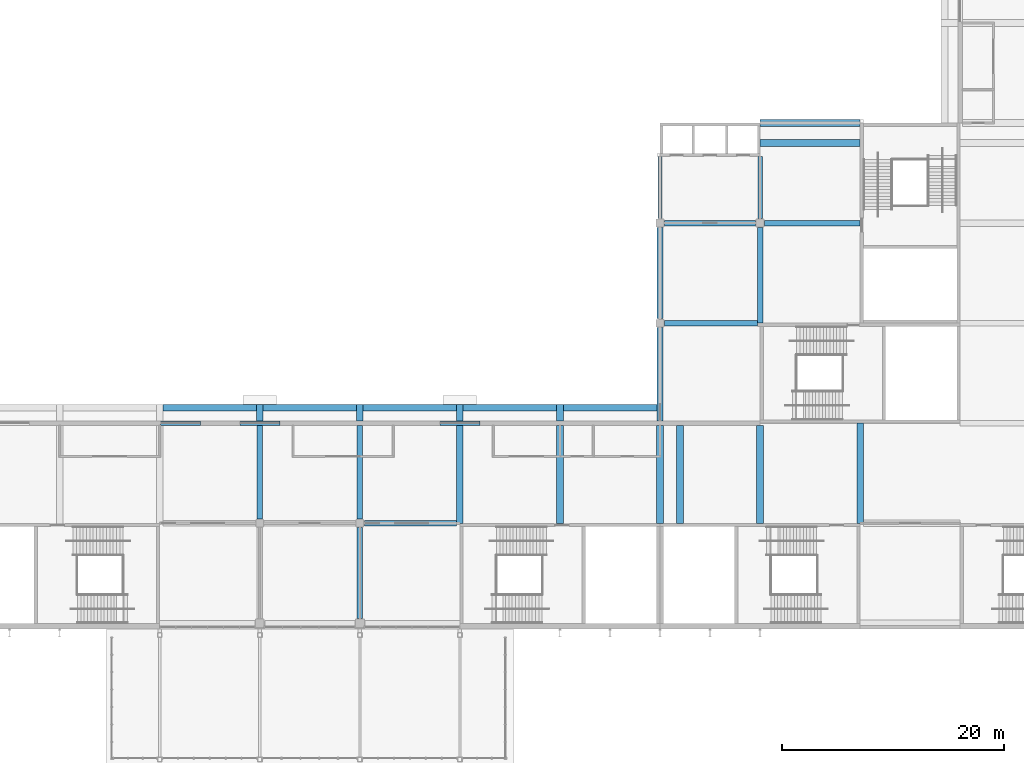
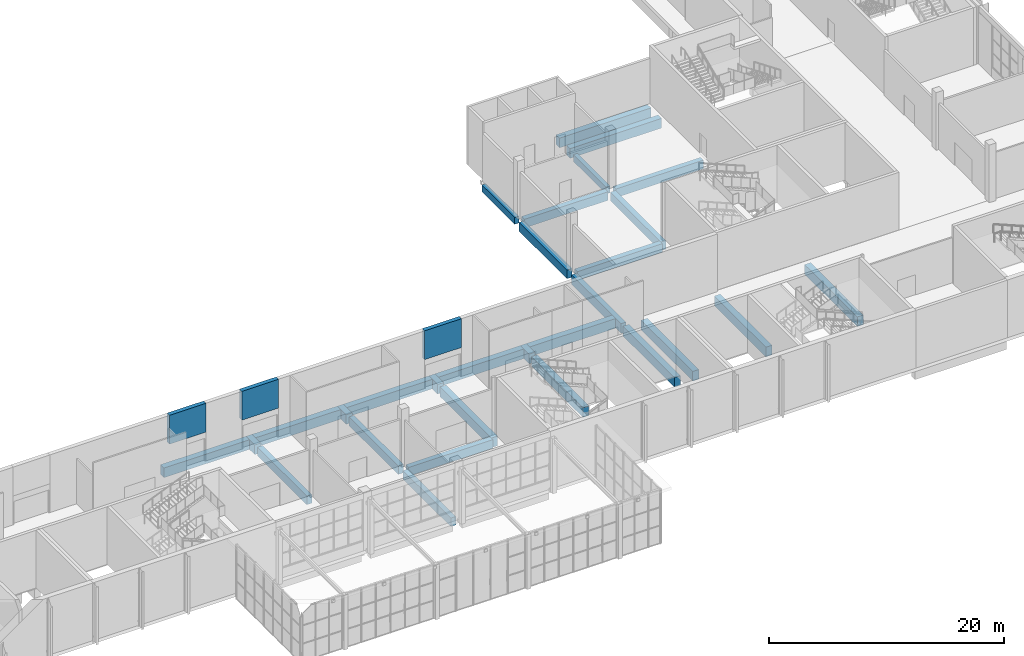
# One storey, part 13 of 89: 32 beams.
"""IFC4 building model written with IfcOpenShell, lengths in metres."""

from ifc_helpers import new_model, si_unit, direction, frame, origin, origin_2d, place, context, subcontext, project, spatial, rectangle, extrude, material, material_profile, profile_set, type_object, element, save


model = new_model("IFC4")

# Units and contexts
model_context = context("Model", 3, precision=1e-05, world=origin(), true_north=direction((0.0, 1.0)))
body_context = subcontext(model_context, "Body", "Model", "MODEL_VIEW")
ifc_project = project(units=[si_unit("LENGTHUNIT", "METRE"), si_unit("AREAUNIT", "SQUARE_METRE"), si_unit("VOLUMEUNIT", "CUBIC_METRE"), si_unit("PLANEANGLEUNIT", "RADIAN"), si_unit("MASSUNIT", "GRAM", prefix="KILO")], contexts=[model_context])

# Site, building, storey
site_placement = place(None, origin())
site = spatial("IfcSite", under=ifc_project, at=site_placement, CompositionType="ELEMENT")
building_placement = place(site_placement, origin())
building = spatial("IfcBuilding", under=site, at=building_placement, Name="Silverbay Arena", CompositionType="ELEMENT")
storey_placement = place(building_placement, frame((0.0, 0.0, 22.0)))
storey = spatial("IfcBuildingStorey", under=building, at=storey_placement, Name="L03", CompositionType="ELEMENT", Elevation=22.0)

# Beams
ifc_material_1 = material(Name="Concrete Grade C45", Category="concrete")
ifc_material_profile_1 = material_profile(ifc_material_1, rectangle(XDim=0.39990234375, YDim=0.699951171875, at=origin_2d()), Name="RC 400x700")
ifc_profile_set_1 = profile_set([ifc_material_profile_1], Name="Concrete Grade C45")
beam_type_1 = type_object("IfcBeamType", Name="RC beam 400x700", PredefinedType="BEAM", material=ifc_profile_set_1)
for number, where, z_axis, x_axis, name in (
    (1, (162.0, 54.39990234375, -0.699951171875), (0.0, 1.0, 0.0), (-1.0, 0.0, 0.0), "Floor beam L03 148"),
    (2, (171.0, 54.39990234375, -0.699951171875), (0.0, 1.0, 0.0), (-1.0, 0.0, 0.0), "Floor beam L03 157"),
):
    element("IfcBeam", number, at=place(storey_placement, frame(where, z_axis=z_axis, x_axis=x_axis)), inside=storey, type_object=beam_type_1, Name=name, PredefinedType="BEAM", context=body_context, shape_type="SweptSolid", body=[
        extrude(rectangle(XDim=0.39990234375, YDim=0.699951171875, at=origin_2d()), origin(), (0.0, 0.0, 1.0), 5.60009765625),
    ])
ifc_material_2 = material(Name="Concrete Grade C45", Category="concrete")
ifc_material_profile_2 = material_profile(ifc_material_2, rectangle(XDim=0.5, YDim=1.0, at=origin_2d()), Name="RC 500x1000")
ifc_profile_set_2 = profile_set([ifc_material_profile_2], Name="Concrete Grade C45")
beam_type_2 = type_object("IfcBeamType", Name="RC beam 500x1000", PredefinedType="BEAM", material=ifc_profile_set_2)
beam_1_placement = place(storey_placement, frame((162.0, 36.199951171875, -0.85009765625), z_axis=(0.0, 1.0, 0.0), x_axis=(-1.0, 0.0, 0.0)))
element("IfcBeam", 3, at=beam_1_placement, inside=storey, type_object=beam_type_2, Name="Floor beam L03 146", PredefinedType="BEAM", context=body_context, shape_type="SweptSolid", body=[
    extrude(rectangle(XDim=0.5, YDim=1.0, at=origin_2d()), origin(), (0.0, 0.0, 1.0), 8.400146484375),
])
ifc_material_3 = material(Name="Concrete Grade C45", Category="concrete")
ifc_material_profile_3 = material_profile(ifc_material_3, rectangle(XDim=0.5, YDim=0.89990234375, at=origin_2d()), Name="RC 500x900")
ifc_profile_set_3 = profile_set([ifc_material_profile_3], Name="Concrete Grade C45")
beam_type_3 = type_object("IfcBeamType", Name="RC beam 500x900", PredefinedType="BEAM", material=ifc_profile_set_3)
beam_2_placement = place(storey_placement, frame((135.39990234375, 27.0, -0.800048828125), z_axis=(1.0, 0.0, 0.0), x_axis=(0.0, 1.0, 0.0)))
element("IfcBeam", 4, at=beam_2_placement, inside=storey, type_object=beam_type_3, Name="Floor beam L03 009", PredefinedType="BEAM", context=body_context, shape_type="SweptSolid", body=[
    extrude(rectangle(XDim=0.5, YDim=0.89990234375, at=origin_2d()), origin(), (0.0, 0.0, 1.0), 8.300048828125),
])
beam_3_placement = place(storey_placement, frame((162.39990234375, 45.0, -0.800048828125), z_axis=(1.0, 0.0, 0.0), x_axis=(0.0, 1.0, 0.0)))
element("IfcBeam", 5, at=beam_3_placement, inside=storey, type_object=beam_type_3, Name="Floor beam L03 018", PredefinedType="BEAM", context=body_context, shape_type="SweptSolid", body=[
    extrude(rectangle(XDim=0.5, YDim=0.89990234375, at=origin_2d()), origin(), (0.0, 0.0, 1.0), 8.35009765625),
])
beam_4_placement = place(storey_placement, frame((162.39990234375, 54.0, -0.800048828125), z_axis=(1.0, 0.0, 0.0), x_axis=(0.0, 1.0, 0.0)))
element("IfcBeam", 6, at=beam_4_placement, inside=storey, type_object=beam_type_3, Name="Floor beam L03 024", PredefinedType="BEAM", context=body_context, shape_type="SweptSolid", body=[
    extrude(rectangle(XDim=0.5, YDim=0.89990234375, at=origin_2d()), origin(), (0.0, 0.0, 1.0), 8.2001953125),
])
beam_5_placement = place(storey_placement, frame((171.39990234375, 54.0, -0.800048828125), z_axis=(1.0, 0.0, 0.0), x_axis=(0.0, 1.0, 0.0)))
element("IfcBeam", 7, at=beam_5_placement, inside=storey, type_object=beam_type_3, Name="Floor beam L03 025", PredefinedType="BEAM", context=body_context, shape_type="SweptSolid", body=[
    extrude(rectangle(XDim=0.5, YDim=0.89990234375, at=origin_2d()), origin(), (0.0, 0.0, 1.0), 8.60009765625),
])
beam_6_placement = place(storey_placement, frame((126.0, 27.39990234375, -0.800048828125), z_axis=(0.0, 1.0, 0.0), x_axis=(-1.0, 0.0, 0.0)))
element("IfcBeam", 8, at=beam_6_placement, inside=storey, type_object=beam_type_3, Name="Floor beam L03 126", PredefinedType="BEAM", context=body_context, shape_type="SweptSolid", body=[
    extrude(rectangle(XDim=0.5, YDim=0.89990234375, at=origin_2d()), origin(), (0.0, 0.0, 1.0), 8.400146484375),
])
beam_7_placement = place(storey_placement, frame((135.0, 18.449951171875, -0.800048828125), z_axis=(0.0, 1.0, 0.0), x_axis=(-1.0, 0.0, 0.0)))
element("IfcBeam", 9, at=beam_7_placement, inside=storey, type_object=beam_type_3, Name="Floor beam L03 131", PredefinedType="BEAM", context=body_context, shape_type="SweptSolid", body=[
    extrude(rectangle(XDim=0.5, YDim=0.89990234375, at=origin_2d()), origin(), (0.0, 0.0, 1.0), 8.150146484375),
])
beam_8_placement = place(storey_placement, frame((135.0, 27.39990234375, -0.800048828125), z_axis=(0.0, 1.0, 0.0), x_axis=(-1.0, 0.0, 0.0)))
element("IfcBeam", 10, at=beam_8_placement, inside=storey, type_object=beam_type_3, Name="Floor beam L03 132", PredefinedType="BEAM", context=body_context, shape_type="SweptSolid", body=[
    extrude(rectangle(XDim=0.5, YDim=0.89990234375, at=origin_2d()), origin(), (0.0, 0.0, 1.0), 8.400146484375),
])
beam_9_placement = place(storey_placement, frame((162.0, 45.39990234375, -0.800048828125), z_axis=(0.0, 1.0, 0.0), x_axis=(-1.0, 0.0, 0.0)))
element("IfcBeam", 11, at=beam_9_placement, inside=storey, type_object=beam_type_3, Name="Floor beam L03 147", PredefinedType="BEAM", context=body_context, shape_type="SweptSolid", body=[
    extrude(rectangle(XDim=0.5, YDim=0.89990234375, at=origin_2d()), origin(), (0.0, 0.0, 1.0), 8.2001953125),
])
beam_10_placement = place(storey_placement, frame((171.0, 45.0, -0.800048828125), z_axis=(0.0, 1.0, 0.0), x_axis=(-1.0, 0.0, 0.0)))
element("IfcBeam", 12, at=beam_10_placement, inside=storey, type_object=beam_type_3, Name="Floor beam L03 156", PredefinedType="BEAM", context=body_context, shape_type="SweptSolid", body=[
    extrude(rectangle(XDim=0.5, YDim=0.89990234375, at=origin_2d()), origin(), (0.0, 0.0, 1.0), 8.60009765625),
])
ifc_material_4 = material(Name="Concrete Grade C45", Category="concrete")
ifc_material_profile_4 = material_profile(ifc_material_4, rectangle(XDim=0.60009765625, YDim=1.0, at=origin_2d()), Name="RC 600x1000")
ifc_profile_set_4 = profile_set([ifc_material_profile_4], Name="Concrete Grade C45")
beam_type_4 = type_object("IfcBeamType", Name="RC beam 600x1000", PredefinedType="BEAM", material=ifc_profile_set_4)
for number, where, z_axis, x_axis, name in (
    (13, (171.0, 61.199951171875, -0.85009765625), (1.0, 0.0, 0.0), (0.0, 1.0, 0.0), "Floor beam L03 029"),
    (14, (171.0, 63.0, -0.85009765625), (1.0, 0.0, 0.0), (0.0, 1.0, 0.0), "Floor beam L03 033"),
):
    element("IfcBeam", number, at=place(storey_placement, frame(where, z_axis=z_axis, x_axis=x_axis)), inside=storey, type_object=beam_type_4, Name=name, PredefinedType="BEAM", context=body_context, shape_type="SweptSolid", body=[
        extrude(rectangle(XDim=0.60009765625, YDim=1.0, at=origin_2d()), origin(), (0.0, 0.0, 1.0), 9.0),
    ])
for number, where, z_axis, x_axis, name in (
    (15, (126.0, 36.199951171875, -0.85009765625), (0.0, 1.0, 0.0), (-1.0, 0.0, 0.0), "Floor beam L03 127"),
    (16, (135.0, 36.199951171875, -0.85009765625), (0.0, 1.0, 0.0), (-1.0, 0.0, 0.0), "Floor beam L03 133"),
):
    element("IfcBeam", number, at=place(storey_placement, frame(where, z_axis=z_axis, x_axis=x_axis)), inside=storey, type_object=beam_type_4, Name=name, PredefinedType="BEAM", context=body_context, shape_type="SweptSolid", body=[
        extrude(rectangle(XDim=0.60009765625, YDim=1.0, at=origin_2d()), origin(), (0.0, 0.0, 1.0), 1.5),
    ])
beam_11_placement = place(storey_placement, frame((144.0, 27.0, -0.85009765625), z_axis=(0.0, 1.0, 0.0), x_axis=(-1.0, 0.0, 0.0)))
element("IfcBeam", 17, at=beam_11_placement, inside=storey, type_object=beam_type_4, Name="Floor beam L03 137", PredefinedType="BEAM", context=body_context, shape_type="SweptSolid", body=[
    extrude(rectangle(XDim=0.60009765625, YDim=1.0, at=origin_2d()), origin(), (0.0, 0.0, 1.0), 8.800048828125),
])
beam_12_placement = place(storey_placement, frame((144.0, 36.199951171875, -0.85009765625), z_axis=(0.0, 1.0, 0.0), x_axis=(-1.0, 0.0, 0.0)))
element("IfcBeam", 18, at=beam_12_placement, inside=storey, type_object=beam_type_4, Name="Floor beam L03 138", PredefinedType="BEAM", context=body_context, shape_type="SweptSolid", body=[
    extrude(rectangle(XDim=0.60009765625, YDim=1.0, at=origin_2d()), origin(), (0.0, 0.0, 1.0), 1.5),
])
beam_13_placement = place(storey_placement, frame((153.0, 27.0, -0.85009765625), z_axis=(0.0, 1.0, 0.0), x_axis=(-1.0, 0.0, 0.0)))
element("IfcBeam", 19, at=beam_13_placement, inside=storey, type_object=beam_type_4, Name="Floor beam L03 141", PredefinedType="BEAM", context=body_context, shape_type="SweptSolid", body=[
    extrude(rectangle(XDim=0.60009765625, YDim=1.0, at=origin_2d()), origin(), (0.0, 0.0, 1.0), 8.800048828125),
])
beam_14_placement = place(storey_placement, frame((153.0, 36.199951171875, -0.85009765625), z_axis=(0.0, 1.0, 0.0), x_axis=(-1.0, 0.0, 0.0)))
element("IfcBeam", 20, at=beam_14_placement, inside=storey, type_object=beam_type_4, Name="Floor beam L03 142", PredefinedType="BEAM", context=body_context, shape_type="SweptSolid", body=[
    extrude(rectangle(XDim=0.60009765625, YDim=1.0, at=origin_2d()), origin(), (0.0, 0.0, 1.0), 1.5),
])
for number, where, z_axis, x_axis, name in (
    (21, (162.0, 27.0, -0.85009765625), (0.0, 1.0, 0.0), (-1.0, 0.0, 0.0), "Floor beam L03 145"),
    (22, (163.800048828125, 27.0, -0.85009765625), (0.0, 1.0, 0.0), (-1.0, 0.0, 0.0), "Floor beam L03 153"),
    (23, (171.0, 27.0, -0.85009765625), (0.0, 1.0, 0.0), (-1.0, 0.0, 0.0), "Floor beam L03 155"),
):
    element("IfcBeam", number, at=place(storey_placement, frame(where, z_axis=z_axis, x_axis=x_axis)), inside=storey, type_object=beam_type_4, Name=name, PredefinedType="BEAM", context=body_context, shape_type="SweptSolid", body=[
        extrude(rectangle(XDim=0.60009765625, YDim=1.0, at=origin_2d()), origin(), (0.0, 0.0, 1.0), 8.800048828125),
    ])
beam_15_placement = place(storey_placement, frame((180.0, 27.0, -0.85009765625), z_axis=(0.0, 1.0, 0.0), x_axis=(-1.0, 0.0, 0.0)))
element("IfcBeam", 24, at=beam_15_placement, inside=storey, type_object=beam_type_4, Name="Floor beam L03 161", PredefinedType="BEAM", context=body_context, shape_type="SweptSolid", body=[
    extrude(rectangle(XDim=0.60009765625, YDim=1.0, at=origin_2d()), origin(), (0.0, 0.0, 1.0), 9.0),
])
for number, where, z_axis, x_axis, name in (
    (25, (117.300048828125, 37.39990234375, -0.85009765625), (1.0, 0.0, 0.0), (0.0, 1.0, 0.0), "Floor beam L03 181"),
    (26, (126.300048828125, 37.39990234375, -0.85009765625), (1.0, 0.0, 0.0), (0.0, 1.0, 0.0), "Floor beam L03 182"),
    (27, (135.300048828125, 37.39990234375, -0.85009765625), (1.0, 0.0, 0.0), (0.0, 1.0, 0.0), "Floor beam L03 183"),
    (28, (144.300048828125, 37.39990234375, -0.85009765625), (1.0, 0.0, 0.0), (0.0, 1.0, 0.0), "Floor beam L03 184"),
):
    element("IfcBeam", number, at=place(storey_placement, frame(where, z_axis=z_axis, x_axis=x_axis)), inside=storey, type_object=beam_type_4, Name=name, PredefinedType="BEAM", context=body_context, shape_type="SweptSolid", body=[
        extrude(rectangle(XDim=0.60009765625, YDim=1.0, at=origin_2d()), origin(), (0.0, 0.0, 1.0), 8.39990234375),
    ])
beam_16_placement = place(storey_placement, frame((153.300048828125, 37.39990234375, -0.85009765625), z_axis=(1.0, 0.0, 0.0), x_axis=(0.0, 1.0, 0.0)))
element("IfcBeam", 29, at=beam_16_placement, inside=storey, type_object=beam_type_4, Name="Floor beam L03 185", PredefinedType="BEAM", context=body_context, shape_type="SweptSolid", body=[
    extrude(rectangle(XDim=0.60009765625, YDim=1.0, at=origin_2d()), origin(), (0.0, 0.0, 1.0), 8.449951171875),
])
ifc_material_5 = material(Name="Concrete Grade C45", Category="concrete")
ifc_material_profile_5 = material_profile(ifc_material_5, rectangle(XDim=0.39990234375, YDim=3.0, at=origin_2d()), Name="RC 400x3000")
ifc_profile_set_5 = profile_set([ifc_material_profile_5], Name="Concrete Grade C45")
beam_type_5 = type_object("IfcBeamType", Name="RC lintel 400x3000", PredefinedType="BEAM", material=ifc_profile_set_5)
for number, where, z_axis, x_axis, name in (
    (30, (124.199951171875, 36.0, 4.5), (1.0, 0.0, 0.0), (0.0, 1.0, 0.0), "Lintel over portal L03-S126"),
    (31, (142.199951171875, 36.0, 4.5), (1.0, 0.0, 0.0), (0.0, 1.0, 0.0), "Lintel over portal L03-S144"),
    (32, (117.074951171875, 36.0, 4.5), (1.0, 0.0, 0.0), (0.0, 1.0, 0.0), "Lintel over portal L03-S1189"),
):
    element("IfcBeam", number, at=place(storey_placement, frame(where, z_axis=z_axis, x_axis=x_axis)), inside=storey, type_object=beam_type_5, Name=name, PredefinedType="BEAM", context=body_context, shape_type="SweptSolid", body=[
        extrude(rectangle(XDim=0.39990234375, YDim=3.0, at=origin_2d()), origin(), (0.0, 0.0, 1.0), 3.60009765625),
    ])

save(model, "model.ifc")
